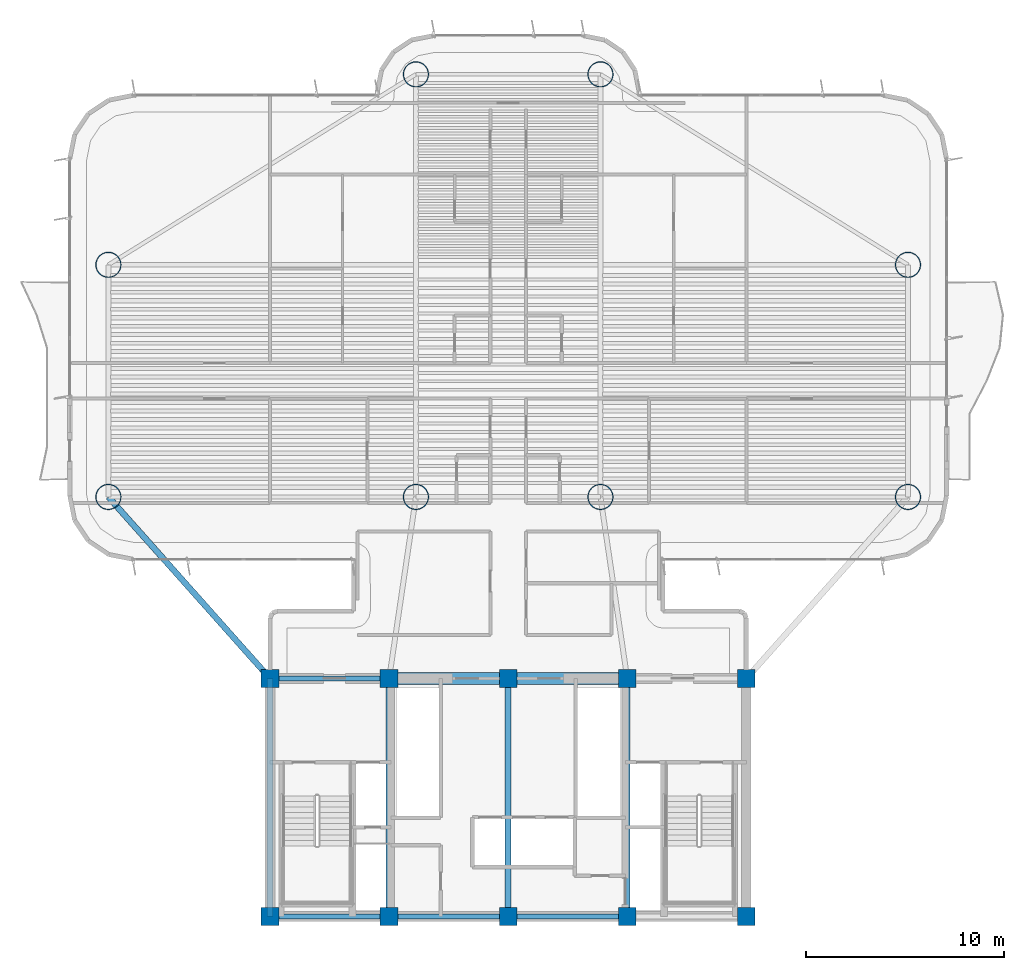
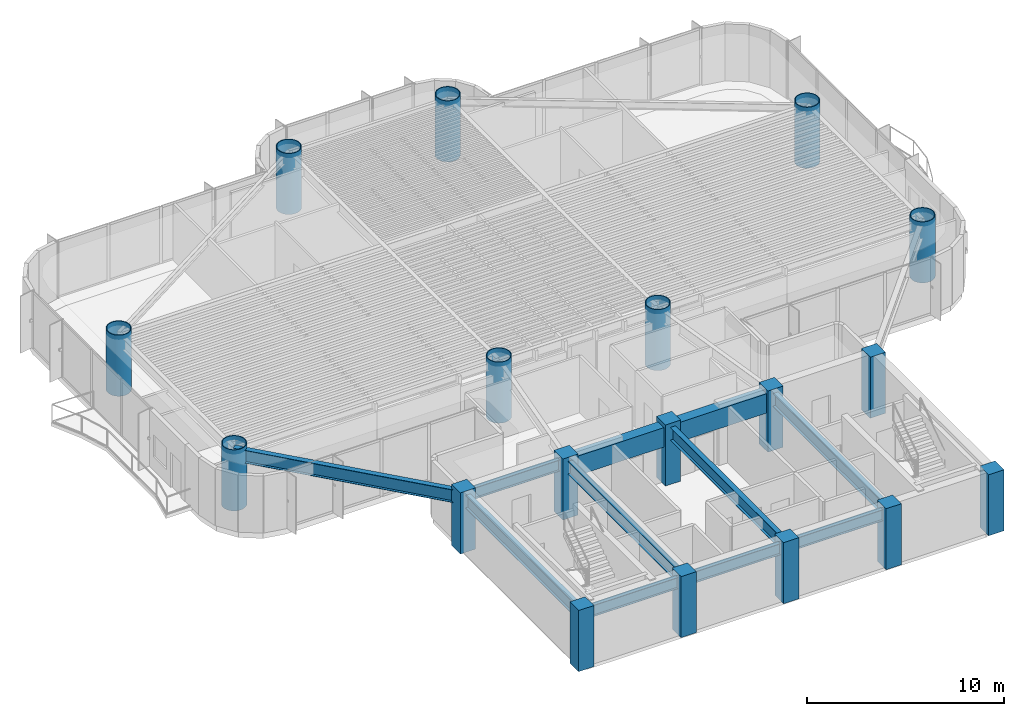
# One storey, part 1 of 17: 18 columns, 10 beams.
"""IFC4 building model written with IfcOpenShell, lengths in metres."""

from ifc_helpers import new_model, si_unit, direction, frame, origin, origin_2d, place, context, subcontext, project, spatial, rectangle, hollow_circle, i_section, extrude, source, transform, mapped, material, material_profile, profile_set, type_object, element, save


model = new_model("IFC4")

# Units and contexts
model_context = context("Model", 3, precision=1e-05, world=origin(), true_north=direction((0.0, 1.0)))
body_context = subcontext(model_context, "Body", "Model", "MODEL_VIEW")
ifc_project = project(units=[si_unit("LENGTHUNIT", "METRE"), si_unit("AREAUNIT", "SQUARE_METRE"), si_unit("VOLUMEUNIT", "CUBIC_METRE"), si_unit("PLANEANGLEUNIT", "RADIAN"), si_unit("MASSUNIT", "GRAM", prefix="KILO")], contexts=[model_context])

# Site, building, storey
site_placement = place(None, origin())
site = spatial("IfcSite", under=ifc_project, at=site_placement, CompositionType="ELEMENT")
building_placement = place(site_placement, origin())
building = spatial("IfcBuilding", under=site, at=building_placement, Name="Brelvock Crest Care Tower", CompositionType="ELEMENT")
storey_placement = place(building_placement, frame((0.0, 0.0, 89.820068359375)))
storey = spatial("IfcBuildingStorey", under=building, at=storey_placement, Name="L22", CompositionType="ELEMENT", Elevation=89.820068359375)

# Columns
ifc_material_1 = material(Name="Concrete S80 (80 MPa)", Category="concrete")
ifc_material_profile_1 = material_profile(ifc_material_1, rectangle(XDim=0.89990234375, YDim=0.89990234375, at=origin_2d()), Name="RC900x900")
ifc_profile_set_1 = profile_set([ifc_material_profile_1], Name="Concrete S80 (80 MPa)")
column_type_1 = type_object("IfcColumnType", Name="COL-RC2", PredefinedType="COLUMN", material=ifc_profile_set_1)
shared_shape_1 = source(origin(), body_context, "Body", "SweptSolid", [
    extrude(rectangle(XDim=0.89990234375, YDim=0.89990234375, at=origin_2d()), origin(), (0.0, 0.0, 1.0), 3.780029296875),
])
for number, where, z_axis, x_axis, name in (
    (1, (24.0, 6.0, 0.0), (0.0, 0.0, 1.0), (1.0, 0.0, 0.0), "L22 Core Column CC-01"),
    (2, (30.0, 6.0, 0.0), (0.0, 0.0, 1.0), (1.0, 0.0, 0.0), "L22 Core Column CC-02"),
    (3, (36.0, 6.0, 0.0), (0.0, 0.0, 1.0), (1.0, 0.0, 0.0), "L22 Core Column CC-03"),
    (4, (42.0, 6.0, 0.0), (0.0, 0.0, 1.0), (1.0, 0.0, 0.0), "L22 Core Column CC-04"),
    (5, (48.0, 6.0, 0.0), (0.0, 0.0, 1.0), (1.0, 0.0, 0.0), "L22 Core Column CC-05"),
    (6, (24.0, 18.0, 0.0), (0.0, 0.0, 1.0), (1.0, 0.0, 0.0), "L22 Core Column CC-06"),
    (7, (30.0, 18.0, 0.0), (0.0, 0.0, 1.0), (1.0, 0.0, 0.0), "L22 Core Column CC-07"),
    (8, (36.0, 18.0, 0.0), (0.0, 0.0, 1.0), (1.0, 0.0, 0.0), "L22 Core Column CC-08"),
    (9, (42.0, 18.0, 0.0), (0.0, 0.0, 1.0), (1.0, 0.0, 0.0), "L22 Core Column CC-09"),
    (10, (48.0, 18.0, 0.0), (0.0, 0.0, 1.0), (1.0, 0.0, 0.0), "L22 Core Column CC-10"),
):
    element("IfcColumn", number, at=place(storey_placement, frame(where, z_axis=z_axis, x_axis=x_axis)), inside=storey, type_object=column_type_1, Name=name, PredefinedType="COLUMN", context=body_context, shape_type="MappedRepresentation", body=[
        mapped(shared_shape_1, transform((0.0, 0.0, 0.0), x_axis=(1.0, 0.0, 0.0), y_axis=(0.0, 1.0, 0.0), z_axis=(0.0, 0.0, 1.0), scale=1.0)),
    ])
ifc_material_2 = material(Name="Steel Grade 350", Category="steel")
ifc_material_profile_2 = material_profile(ifc_material_2, hollow_circle(Radius=0.64990234375, WallThickness=0.044921875, at=origin_2d()), Name="CFT1300x45")
ifc_profile_set_2 = profile_set([ifc_material_profile_2], Name="Steel Grade 350")
column_type_2 = type_object("IfcColumnType", Name="COL-MC2", PredefinedType="COLUMN", material=ifc_profile_set_2)
shared_shape_2 = source(origin(), body_context, "Body", "SweptSolid", [
    extrude(hollow_circle(Radius=0.64990234375, WallThickness=0.044921875, at=origin_2d()), origin(), (0.0, 0.0, 1.0), 3.780029296875),
])
for number, where, z_axis, x_axis, name in (
    (11, (15.85009765625, 27.14990234375, 0.0), (0.0, 0.0, 1.0), (1.0, 0.0, 0.0), "L22 Tower Column M1"),
    (12, (15.85009765625, 38.85009765625, 0.0), (0.0, 0.0, 1.0), (1.0, 0.0, 0.0), "L22 Tower Column M2"),
    (13, (56.14990234375, 27.14990234375, 0.0), (0.0, 0.0, 1.0), (1.0, 0.0, 0.0), "L22 Tower Column M3"),
    (14, (56.14990234375, 38.85009765625, 0.0), (0.0, 0.0, 1.0), (1.0, 0.0, 0.0), "L22 Tower Column M4"),
    (15, (31.35009765625, 27.14990234375, 0.0), (0.0, 0.0, 1.0), (1.0, 0.0, 0.0), "L22 Tower Column M5"),
    (16, (40.64990234375, 27.14990234375, 0.0), (0.0, 0.0, 1.0), (1.0, 0.0, 0.0), "L22 Tower Column M6"),
    (17, (31.35009765625, 48.449951171875, 0.0), (0.0, 0.0, 1.0), (1.0, 0.0, 0.0), "L22 Tower Column M7"),
    (18, (40.64990234375, 48.449951171875, 0.0), (0.0, 0.0, 1.0), (1.0, 0.0, 0.0), "L22 Tower Column M8"),
):
    element("IfcColumn", number, at=place(storey_placement, frame(where, z_axis=z_axis, x_axis=x_axis)), inside=storey, type_object=column_type_2, Name=name, PredefinedType="COLUMN", context=body_context, shape_type="MappedRepresentation", body=[
        mapped(shared_shape_2, transform((0.0, 0.0, 0.0), x_axis=(1.0, 0.0, 0.0), y_axis=(0.0, 1.0, 0.0), z_axis=(0.0, 0.0, 1.0), scale=1.0)),
    ])

# Beams
ifc_material_profile_3 = material_profile(ifc_material_1, rectangle(XDim=0.60009765625, YDim=1.199951171875, at=origin_2d()), Name="RC600x1200")
ifc_profile_set_3 = profile_set([ifc_material_profile_3], Name="Concrete S80 (80 MPa)")
beam_type_1 = type_object("IfcBeamType", Name="BM-LN1", PredefinedType="LINTEL", material=ifc_profile_set_3)
shared_shape_3 = source(origin(), body_context, "Body", "SweptSolid", [
    extrude(rectangle(XDim=0.60009765625, YDim=1.199951171875, at=origin_2d()), origin(), (0.0, 0.0, 1.0), 12.0),
])
beam_1_placement = place(storey_placement, frame((30.0, 18.0, 2.929931640625), z_axis=(1.0, 0.0, 0.0), x_axis=(0.0, 1.0, 0.0)))
element("IfcBeam", 19, at=beam_1_placement, inside=storey, type_object=beam_type_1, Name="L22 Core Coupling Lintel Beam", PredefinedType="LINTEL", context=body_context, shape_type="MappedRepresentation", body=[
    mapped(shared_shape_3, transform((0.0, 0.0, 0.0), x_axis=(1.0, 0.0, 0.0), y_axis=(0.0, 1.0, 0.0), z_axis=(0.0, 0.0, 1.0), scale=1.0)),
])
ifc_material_profile_4 = material_profile(ifc_material_2, i_section(OverallWidth=0.25, OverallDepth=0.699951171875, WebThickness=0.011962890625, FlangeThickness=0.02001953125, at=origin_2d()), Name="700WB150")
ifc_profile_set_4 = profile_set([ifc_material_profile_4], Name="Steel Grade 350")
beam_type_2 = type_object("IfcBeamType", Name="BM-G4", PredefinedType="BEAM", material=ifc_profile_set_4)
shared_shape_4 = source(origin(), body_context, "Body", "SweptSolid", [
    extrude(i_section(OverallWidth=0.25, OverallDepth=0.699951171875, WebThickness=0.011962890625, FlangeThickness=0.02001953125, at=origin_2d()), origin(), (0.0, 0.0, 1.0), 6.0),
])
for number, where, z_axis, x_axis, name in (
    (20, (24.0, 6.0, 3.179931640625), (1.0, 0.0, 0.0), (0.0, 1.0, 0.0), "BM-CORES-L22-1"),
    (21, (24.0, 18.0, 3.179931640625), (1.0, 0.0, 0.0), (0.0, 1.0, 0.0), "BM-COREN-L22-1"),
    (22, (30.0, 6.0, 3.179931640625), (1.0, 0.0, 0.0), (0.0, 1.0, 0.0), "BM-CORES-L22-2"),
    (23, (36.0, 6.0, 3.179931640625), (1.0, 0.0, 0.0), (0.0, 1.0, 0.0), "BM-CORES-L22-3"),
):
    element("IfcBeam", number, at=place(storey_placement, frame(where, z_axis=z_axis, x_axis=x_axis)), inside=storey, type_object=beam_type_2, Name=name, PredefinedType="BEAM", context=body_context, shape_type="MappedRepresentation", body=[
        mapped(shared_shape_4, transform((0.0, 0.0, 0.0), x_axis=(1.0, 0.0, 0.0), y_axis=(0.0, 1.0, 0.0), z_axis=(0.0, 0.0, 1.0), scale=1.0)),
    ])
ifc_material_profile_5 = material_profile(ifc_material_2, i_section(OverallWidth=0.300048828125, OverallDepth=0.800048828125, WebThickness=0.013916015625, FlangeThickness=0.02197265625, at=origin_2d()), Name="800WB192")
ifc_profile_set_5 = profile_set([ifc_material_profile_5], Name="Steel Grade 350")
beam_type_3 = type_object("IfcBeamType", Name="BM-G5", PredefinedType="BEAM", material=ifc_profile_set_5)
shared_shape_5 = source(origin(), body_context, "Body", "SweptSolid", [
    extrude(i_section(OverallWidth=0.300048828125, OverallDepth=0.800048828125, WebThickness=0.013916015625, FlangeThickness=0.02197265625, at=origin_2d()), origin(), (0.0, 0.0, 1.0), 12.0),
])
for number, where, z_axis, x_axis, name in (
    (24, (24.0, 6.0, 3.1298828125), (0.0, 1.0, 0.0), (-1.0, 0.0, 0.0), "BM-COREX-L22-1"),
    (25, (30.0, 6.0, 3.1298828125), (0.0, 1.0, 0.0), (-1.0, 0.0, 0.0), "BM-COREX-L22-2"),
    (26, (36.0, 6.0, 3.1298828125), (0.0, 1.0, 0.0), (-1.0, 0.0, 0.0), "BM-COREX-L22-3"),
    (27, (42.0, 6.0, 3.1298828125), (0.0, 1.0, 0.0), (-1.0, 0.0, 0.0), "BM-COREX-L22-4"),
):
    element("IfcBeam", number, at=place(storey_placement, frame(where, z_axis=z_axis, x_axis=x_axis)), inside=storey, type_object=beam_type_3, Name=name, PredefinedType="BEAM", context=body_context, shape_type="MappedRepresentation", body=[
        mapped(shared_shape_5, transform((0.0, 0.0, 0.0), x_axis=(1.0, 0.0, 0.0), y_axis=(0.0, 1.0, 0.0), z_axis=(0.0, 0.0, 1.0), scale=1.0)),
    ])
shared_shape_6 = source(origin(), body_context, "Body", "SweptSolid", [
    extrude(i_section(OverallWidth=0.300048828125, OverallDepth=0.800048828125, WebThickness=0.013916015625, FlangeThickness=0.02197265625, at=origin_2d()), origin(), (0.0, 0.0, 1.0), 12.253173828125),
])
beam_2_placement = place(storey_placement, frame((24.0, 18.0, 3.1298828125), z_axis=(-0.665122829149, 0.746733970129, 0.0), x_axis=(-0.746733970129, -0.665122829149, 0.0)))
element("IfcBeam", 28, at=beam_2_placement, inside=storey, type_object=beam_type_3, Name="BM-THRO-W-L22", PredefinedType="BEAM", context=body_context, shape_type="MappedRepresentation", body=[
    mapped(shared_shape_6, transform((0.0, 0.0, 0.0), x_axis=(1.0, 0.0, 0.0), y_axis=(0.0, 1.0, 0.0), z_axis=(0.0, 0.0, 1.0), scale=1.0)),
])

save(model, "model.ifc")
